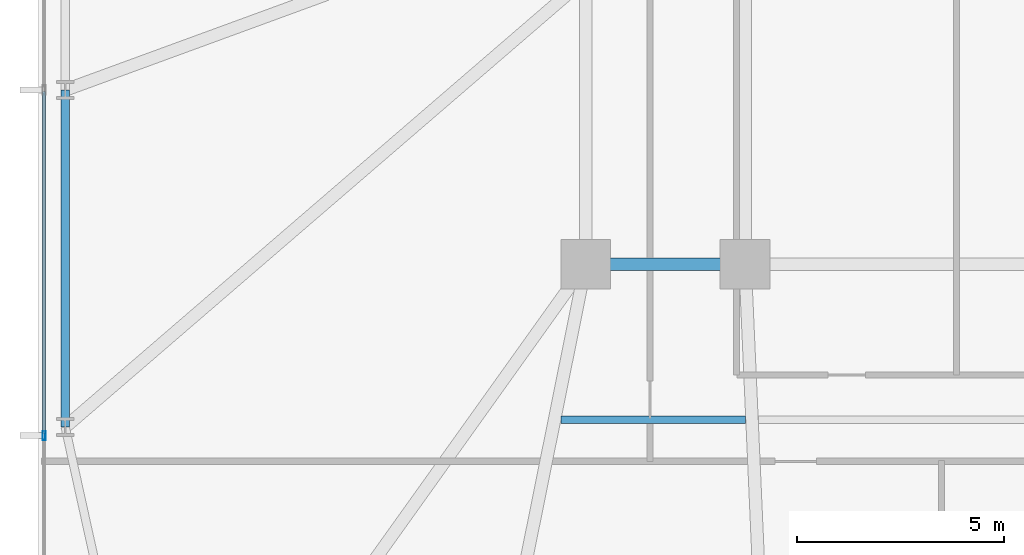
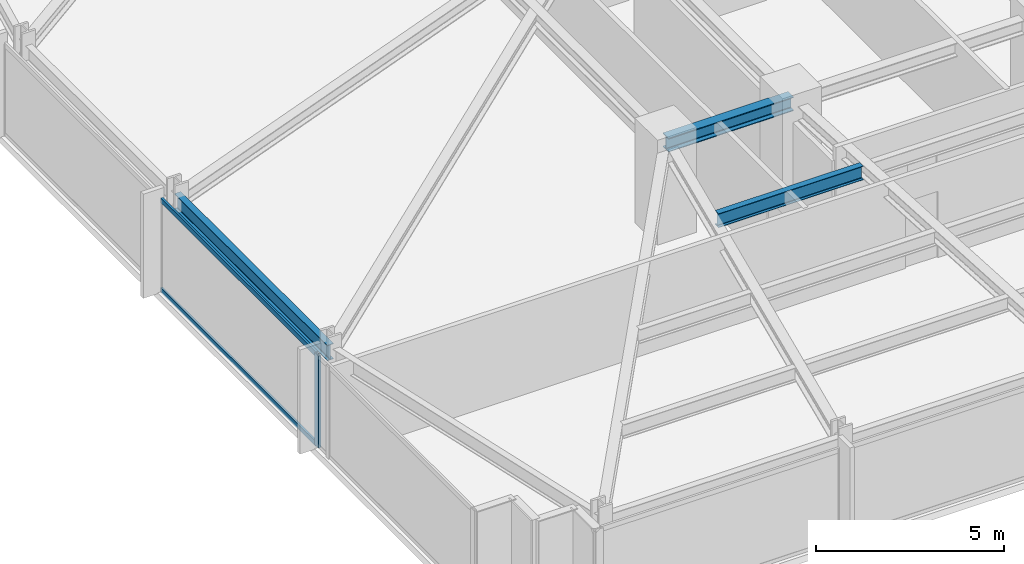
# One storey, part 4 of 32: 3 beams, 3 members, 1 element without a shape of its own.
"""IFC4 building model written with IfcOpenShell, lengths in metres."""

from ifc_helpers import new_model, si_unit, direction, frame, origin, origin_2d, place, context, subcontext, project, spatial, hollow_rectangle, i_section, extrude, material, material_profile, profile_set, type_object, element, aggregate, save


model = new_model("IFC4")

# Units and contexts
model_context = context("Model", 3, precision=1e-05, world=origin(), true_north=direction((0.0, 1.0)))
body_context = subcontext(model_context, "Body", "Model", "MODEL_VIEW")
ifc_project = project(units=[si_unit("LENGTHUNIT", "METRE"), si_unit("AREAUNIT", "SQUARE_METRE"), si_unit("VOLUMEUNIT", "CUBIC_METRE"), si_unit("PLANEANGLEUNIT", "RADIAN"), si_unit("MASSUNIT", "GRAM", prefix="KILO")], contexts=[model_context])

# Site, building, storey
site_placement = place(None, origin())
site = spatial("IfcSite", under=ifc_project, at=site_placement, CompositionType="ELEMENT")
building_placement = place(site_placement, origin())
building = spatial("IfcBuilding", under=site, at=building_placement, Name="Yelkora Congress Tower", CompositionType="ELEMENT")
storey_placement = place(building_placement, frame((0.0, 0.0, 74.60009765625)))
storey = spatial("IfcBuildingStorey", under=building, at=storey_placement, Name="L19", CompositionType="ELEMENT", Elevation=74.60009765625)

# Beams
ifc_material_1 = material(Name="Steel S355J2", Category="steel")
ifc_material_profile_1 = material_profile(ifc_material_1, i_section(OverallWidth=0.300048828125, OverallDepth=0.449951171875, WebThickness=0.013916015625, FlangeThickness=0.02587890625, FilletRadius=0.027099609375, at=origin_2d()), Name="HEB 450")
ifc_profile_set_1 = profile_set([ifc_material_profile_1], Name="Steel S355J2")
beam_type_1 = type_object("IfcBeamType", Name="BM-GIRD-HEB450", PredefinedType="BEAM", material=ifc_profile_set_1)
beam_1_placement = place(storey_placement, frame((19.199951171875, 25.199951171875, 2.7548828125), z_axis=(1.0, 0.0, 0.0), x_axis=(0.0, 1.0, 0.0)))
element("IfcBeam", 1, at=beam_1_placement, inside=storey, type_object=beam_type_1, Name="L19 Spine Grid D Girder 1", PredefinedType="BEAM", context=body_context, shape_type="SweptSolid", body=[
    extrude(i_section(OverallWidth=0.300048828125, OverallDepth=0.449951171875, WebThickness=0.013916015625, FlangeThickness=0.02587890625, FilletRadius=0.027099609375, at=origin_2d()), origin(), (0.0, 0.0, 1.0), 3.840087890625),
])
ifc_material_profile_2 = material_profile(ifc_material_1, i_section(OverallWidth=0.18994140625, OverallDepth=0.449951171875, WebThickness=0.009521484375, FlangeThickness=0.0146484375, FilletRadius=0.02099609375, at=origin_2d()), Name="IPE 450")
ifc_profile_set_2 = profile_set([ifc_material_profile_2], Name="Steel S355J2")
beam_type_2 = type_object("IfcBeamType", Name="BM-JOIST-IPE450", PredefinedType="JOIST", material=ifc_profile_set_2)
beam_2_placement = place(storey_placement, frame((18.60546875, 21.449951171875, 2.7548828125), z_axis=(1.0, 0.0, 0.0), x_axis=(0.0, 1.0, 0.0)))
element("IfcBeam", 2, at=beam_2_placement, inside=storey, type_object=beam_type_2, Name="L19 Composite Floor Joist 17", PredefinedType="JOIST", context=body_context, shape_type="SweptSolid", body=[
    extrude(i_section(OverallWidth=0.18994140625, OverallDepth=0.449951171875, WebThickness=0.009521484375, FlangeThickness=0.0146484375, FilletRadius=0.02099609375, at=origin_2d()), origin(), (0.0, 0.0, 1.0), 4.4404296875),
])
ifc_material_profile_3 = material_profile(ifc_material_1, i_section(OverallWidth=0.199951171875, OverallDepth=0.5, WebThickness=0.01025390625, FlangeThickness=0.01611328125, FilletRadius=0.02099609375, at=origin_2d()), Name="IPE 500")
ifc_profile_set_3 = profile_set([ifc_material_profile_3], Name="Steel S355J2")
beam_type_3 = type_object("IfcBeamType", Name="BM-SPAN-IPE500", PredefinedType="SPANDREL", material=ifc_profile_set_3)
beam_3_placement = place(storey_placement, frame((6.64990234375, 29.39990234375, 2.72998046875), z_axis=(0.0, -1.0, 0.0), x_axis=(1.0, 0.0, 0.0)))
element("IfcBeam", 3, at=beam_3_placement, inside=storey, type_object=beam_type_3, Name="L19 Perimeter Beam 19", PredefinedType="SPANDREL", context=body_context, shape_type="SweptSolid", body=[
    extrude(i_section(OverallWidth=0.199951171875, OverallDepth=0.5, WebThickness=0.01025390625, FlangeThickness=0.01611328125, FilletRadius=0.02099609375, at=origin_2d()), origin(), (0.0, 0.0, 1.0), 8.125),
])

# Curtain wall, members
ifc_material_2 = material(Name="Anodised aluminium and insulated glass", Category="aluminium")
curtain_wall_type = type_object("IfcCurtainWallType", Name="CW-SYS-B1", PredefinedType="NOTDEFINED", material=ifc_material_2)
curtain_wall_placement = place(storey_placement, origin())
curtain_wall = element("IfcCurtainWall", 4, at=curtain_wall_placement, inside=storey, type_object=curtain_wall_type, Name="L19 Unitised Curtain Wall 5", PredefinedType="NOTDEFINED")
ifc_material_3 = material(Name="Anodised aluminium 6063-T6", Category="aluminium")
ifc_material_profile_4 = material_profile(ifc_material_3, hollow_rectangle(XDim=0.074951171875, YDim=0.219970703125, WallThickness=0.0048828125, at=origin_2d()), Name="ALU 75x220x5")
ifc_profile_set_4 = profile_set([ifc_material_profile_4], Name="Anodised aluminium 6063-T6")
member_type_1 = type_object("IfcMemberType", Name="MEM-ML-B1", PredefinedType="MULLION", material=ifc_profile_set_4)
member_1_placement = place(storey_placement, frame((6.139892578125, 21.070068359375, 0.0), z_axis=(0.0, 0.0, 1.0), x_axis=(-1.0, 0.0, 0.0)))
member_1 = element("IfcMember", 5, at=member_1_placement, type_object=member_type_1, Name="CW-B1 mullion 2", PredefinedType="MULLION", context=body_context, shape_type="SweptSolid", body=[
    extrude(hollow_rectangle(XDim=0.074951171875, YDim=0.219970703125, WallThickness=0.0048828125, at=origin_2d()), origin(), (0.0, 0.0, 1.0), 2.97998046875),
])
ifc_material_profile_5 = material_profile(ifc_material_3, hollow_rectangle(XDim=0.06494140625, YDim=0.159912109375, WallThickness=0.00390625, at=origin_2d()), Name="ALU 65x160x4")
ifc_profile_set_5 = profile_set([ifc_material_profile_5], Name="Anodised aluminium 6063-T6")
member_type_2 = type_object("IfcMemberType", Name="MEM-TR-B1", PredefinedType="USERDEFINED", material=ifc_profile_set_5)
member_2_placement = place(storey_placement, frame((6.139892578125, 21.107421875, 0.032470703125), z_axis=(0.0, 1.0, 0.0), x_axis=(-1.0, 0.0, 0.0)))
member_2 = element("IfcMember", 6, at=member_2_placement, type_object=member_type_2, Name="CW-B1 transom 2.1", ObjectType="TRANSOM", PredefinedType="USERDEFINED", context=body_context, shape_type="SweptSolid", body=[
    extrude(hollow_rectangle(XDim=0.06494140625, YDim=0.159912109375, WallThickness=0.00390625, at=origin_2d()), origin(), (0.0, 0.0, 1.0), 8.255126953125),
])
member_3_placement = place(storey_placement, frame((6.139892578125, 21.107421875, 2.947509765625), z_axis=(0.0, 1.0, 0.0), x_axis=(-1.0, 0.0, 0.0)))
member_3 = element("IfcMember", 7, at=member_3_placement, type_object=member_type_2, Name="CW-B1 transom 2.2", ObjectType="TRANSOM", PredefinedType="USERDEFINED", context=body_context, shape_type="SweptSolid", body=[
    extrude(hollow_rectangle(XDim=0.06494140625, YDim=0.159912109375, WallThickness=0.00390625, at=origin_2d()), origin(), (0.0, 0.0, 1.0), 8.255126953125),
])
aggregate(curtain_wall, [member_1, member_2, member_3])

save(model, "model.ifc")
